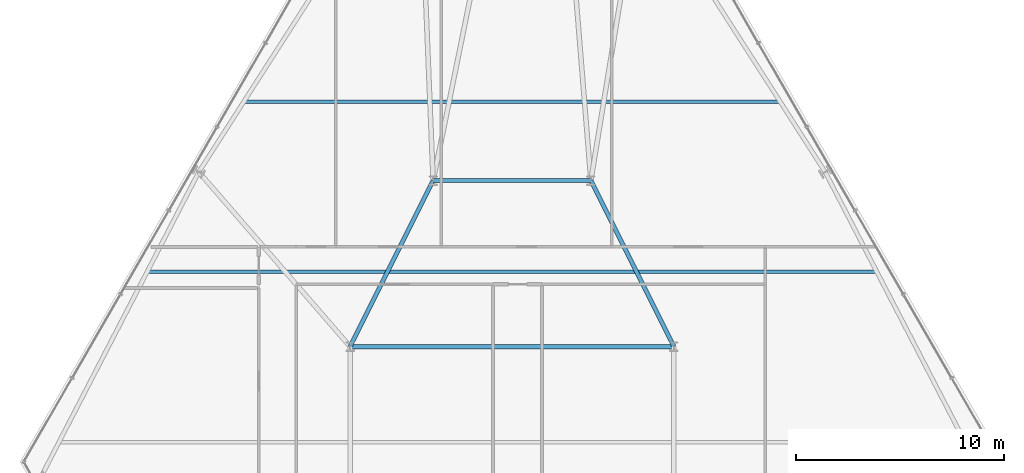
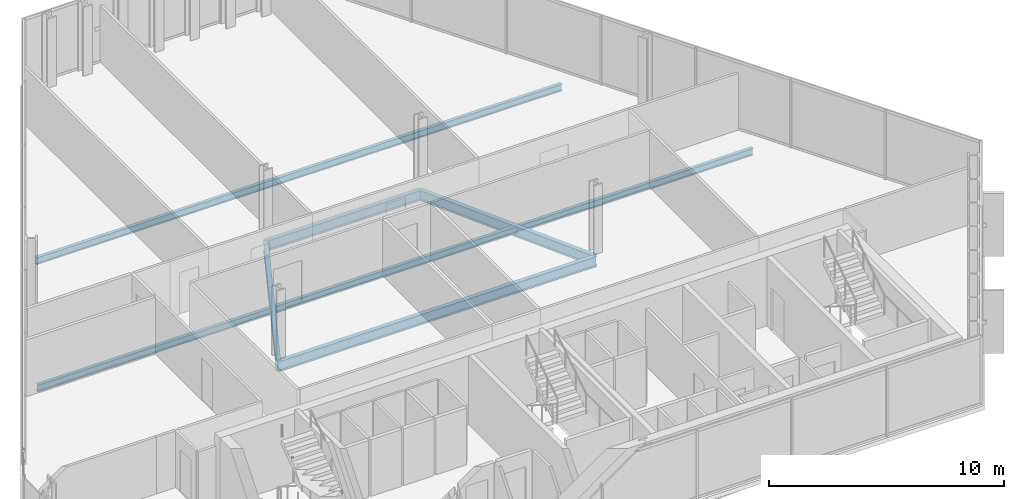
# One storey, part 15 of 33: 6 beams.
"""IFC4 building model written with IfcOpenShell, lengths in metres."""

import ifcopenshell
import ifcopenshell.guid

model = None  # the IFC model being written
_history = None  # IfcOwnerHistory: only IFC2X3 demands one
_inside = {}  # id of a spatial element -> (the spatial element, [elements in it])
_under = {}  # id of a project, library or spatial element -> (it, [spatial elements below it])
_declared = {}  # id of a project -> (the project, [libraries it declares])
_typed = {}  # id of a type object -> (the type object, [elements of that type])
_made_of = {}  # id of a material, layer set ... -> (it, [elements and type objects made of it])


def new_model(schema):
    """Start an empty IFC model of exactly this schema.

    Asked for "IFC4X3", IfcOpenShell would pick the latest addendum, in which some entities
    have other attributes; the version numbers below select the first issue.
    IFC2X3 requires an IfcOwnerHistory on every rooted entity: one is made here for all.
    """
    global model, _history
    if schema == "IFC4X3":
        model = ifcopenshell.file(schema_version=(4, 3, 0, 0))
    else:
        model = ifcopenshell.file(schema=schema)
    _inside.clear()
    _under.clear()
    _declared.clear()
    _typed.clear()
    _made_of.clear()
    _history = None
    if model.schema == "IFC2X3":
        org = make("IfcOrganization", Name="unknown")
        user = make(
            "IfcPersonAndOrganization",
            ThePerson=make("IfcPerson", FamilyName="unknown"),
            TheOrganization=org,
        )
        app = make(
            "IfcApplication",
            ApplicationDeveloper=org,
            Version="unknown",
            ApplicationFullName="unknown",
            ApplicationIdentifier="unknown",
        )
        _history = make(
            "IfcOwnerHistory",
            OwningUser=user,
            OwningApplication=app,
            ChangeAction="ADDED",
            CreationDate=0,
        )
    return model


def make(cls, **values):
    """One entity of the class cls with the attributes given. An attribute that is None is left unset."""
    return model.create_entity(
        cls, **{name: value for name, value in values.items() if value is not None}
    )


def rooted(cls, **values):
    """An entity with a GlobalId (a new one), such as an element, a storey or a relation."""
    return make(cls, GlobalId=ifcopenshell.guid.new(), OwnerHistory=_history, **values)


def si_unit(unit_type, name, prefix=None):
    """IfcSIUnit, for example si_unit("LENGTHUNIT", "METRE", prefix="MILLI")."""
    return make("IfcSIUnit", UnitType=unit_type, Prefix=prefix, Name=name)


def assignment(units):
    """IfcUnitAssignment: the units of a project."""
    return None if units is None else make("IfcUnitAssignment", Units=units)


def point(xyz):
    """IfcCartesianPoint."""
    return None if xyz is None else make("IfcCartesianPoint", Coordinates=xyz)


def direction(xyz):
    """IfcDirection."""
    return None if xyz is None else make("IfcDirection", DirectionRatios=xyz)


def frame(location, z_axis=None, x_axis=None):
    """IfcAxis2Placement3D, a coordinate frame: its origin and axes. An axis left out is left unset."""
    return make(
        "IfcAxis2Placement3D",
        Location=point(location),
        Axis=direction(z_axis),
        RefDirection=direction(x_axis),
    )


def frame_2d(location, x_axis=None):
    """IfcAxis2Placement2D, a coordinate frame in the plane: its origin and x axis."""
    return make(
        "IfcAxis2Placement2D", Location=point(location), RefDirection=direction(x_axis)
    )


def origin():
    """The frame at (0, 0, 0) with its axes left unset."""
    return frame((0.0, 0.0, 0.0))


def origin_2d():
    """The frame at (0, 0) in the plane with its x axis left unset."""
    return frame_2d((0.0, 0.0))


def place(relative_to, where):
    """IfcLocalPlacement: puts the frame where relative to a parent placement (None: the world)."""
    return make(
        "IfcLocalPlacement", PlacementRelTo=relative_to, RelativePlacement=where
    )


def context(
    kind, dimensions, precision=None, world=None, true_north=None, identifier=None
):
    """IfcGeometricRepresentationContext, for example the 3D "Model" context."""
    return make(
        "IfcGeometricRepresentationContext",
        ContextIdentifier=identifier,
        ContextType=kind,
        CoordinateSpaceDimension=dimensions,
        Precision=precision,
        WorldCoordinateSystem=world,
        TrueNorth=true_north,
    )


def subcontext(parent, identifier, kind, view, scale=None):
    """IfcGeometricRepresentationSubContext, for example "Body" below "Model"."""
    return make(
        "IfcGeometricRepresentationSubContext",
        ContextIdentifier=identifier,
        ContextType=kind,
        ParentContext=parent,
        TargetScale=scale,
        TargetView=view,
    )


def project(units=None, contexts=None):
    """IfcProject with its units and contexts."""
    return rooted(
        "IfcProject",
        Name="project",
        RepresentationContexts=contexts,
        UnitsInContext=assignment(units),
    )


def spatial(cls, under=None, at=None, **own):
    """A site, building, storey or space (cls), placed at a placement, below another one or the project."""
    s = rooted(cls, ObjectPlacement=at, **own)
    if under is not None:
        _under.setdefault(under.id(), (under, []))[1].append(s)
    return s


def profile(cls, at=None, kind="AREA", **sizes):
    """A parametric profile (cls). Its sizes go by their IFC names, for example OverallWidth=200.0."""
    return make(cls, ProfileType=kind, Position=at, **sizes)


def i_section(**sizes):
    """IfcIShapeProfileDef."""
    return profile("IfcIShapeProfileDef", **sizes)


def extrude(swept, where, along, depth):
    """IfcExtrudedAreaSolid: the profile swept, set in the frame where, extruded along a direction by depth."""
    return make(
        "IfcExtrudedAreaSolid",
        SweptArea=swept,
        Position=where,
        ExtrudedDirection=direction(along),
        Depth=depth,
    )


def shape(context_of_items, identifier, shape_type, items):
    """IfcShapeRepresentation: the items that make up one representation, for example the "Body"."""
    return make(
        "IfcShapeRepresentation",
        ContextOfItems=context_of_items,
        RepresentationIdentifier=identifier,
        RepresentationType=shape_type,
        Items=items,
    )


def material(Name=None, Category=None):
    """IfcMaterial."""
    return make("IfcMaterial", Name=Name, Category=Category)


def material_profile(
    of_material, cross_section, Name=None, Category=None, Priority=None
):
    """IfcMaterialProfile: a cross section and its material."""
    return make(
        "IfcMaterialProfile",
        Name=Name,
        Material=of_material,
        Profile=cross_section,
        Priority=Priority,
        Category=Category,
    )


def profile_set(profiles, Name=None, composite=None):
    """IfcMaterialProfileSet."""
    return make(
        "IfcMaterialProfileSet",
        Name=Name,
        MaterialProfiles=profiles,
        CompositeProfile=composite,
    )


def made_of(thing, what):
    """Note that an element or type object is made of a material, layer set ...; save() writes the relation."""
    if what is not None:
        _made_of.setdefault(what.id(), (what, []))[1].append(thing)
    return thing


def type_object(cls, material=None, **own):
    """A type object (cls), such as IfcWallType, which elements share."""
    return made_of(rooted(cls, **own), material)


def element(
    cls,
    number,
    at=None,
    inside=None,
    cuts=None,
    type_object=None,
    material=None,
    context=None,
    identifier="Body",
    shape_type=None,
    held_by="IfcProductDefinitionShape",
    body=None,
    shapes=None,
    **own,
):
    """One element of the class cls, such as IfcWall. Its Tag is "e" and its number.

    at: its placement. inside: the storey or other place that contains it. cuts: it is an
    opening in that element (IfcRelVoidsElement). A single representation is given by context,
    identifier, shape_type and body (its items); several are given by shapes. held_by: the class
    of the entity that holds the representations. save() writes the other relations.
    """
    e = rooted(cls, Tag="e%d" % number, ObjectPlacement=at, **own)
    if body is not None:
        shapes = [shape(context, identifier, shape_type, body)]
    if shapes is not None:
        e.Representation = make(held_by, Representations=shapes)
    if inside is not None:
        _inside.setdefault(inside.id(), (inside, []))[1].append(e)
    if cuts is not None:
        rooted(
            "IfcRelVoidsElement", RelatingBuildingElement=cuts, RelatedOpeningElement=e
        )
    if type_object is not None:
        _typed.setdefault(type_object.id(), (type_object, []))[1].append(e)
    return made_of(e, material)


def aggregate(whole, parts):
    """IfcRelAggregates: a whole, such as a stair, and the parts it consists of."""
    return rooted("IfcRelAggregates", RelatingObject=whole, RelatedObjects=parts)


def save(model, path):
    """Write the relations noted so far, then the file.

    IfcRelAggregates (storeys below a building ...), IfcRelContainedInSpatialStructure (elements
    in a storey), IfcRelDefinesByType, IfcRelAssociatesMaterial and IfcRelDeclares: one each for
    every whole, place, type object, material and project.
    """
    for whole, parts in _under.values():
        aggregate(whole, parts)
    for where, things in _inside.values():
        rooted(
            "IfcRelContainedInSpatialStructure",
            RelatedElements=things,
            RelatingStructure=where,
        )
    for kind, things in _typed.values():
        rooted("IfcRelDefinesByType", RelatedObjects=things, RelatingType=kind)
    for what, things in _made_of.values():
        rooted("IfcRelAssociatesMaterial", RelatedObjects=things, RelatingMaterial=what)
    for by, libraries in _declared.values():
        rooted("IfcRelDeclares", RelatingContext=by, RelatedDefinitions=libraries)
    model.write(path)


model = new_model("IFC4")

# Units and contexts
model_context = context("Model", 3, precision=1e-05, world=origin(), true_north=direction((0.0, 1.0)))
body_context = subcontext(model_context, "Body", "Model", "MODEL_VIEW")
ifc_project = project(units=[si_unit("LENGTHUNIT", "METRE"), si_unit("AREAUNIT", "SQUARE_METRE"), si_unit("VOLUMEUNIT", "CUBIC_METRE"), si_unit("PLANEANGLEUNIT", "RADIAN"), si_unit("MASSUNIT", "GRAM", prefix="KILO")], contexts=[model_context])

# Site, building, storey
site_placement = place(None, origin())
site = spatial("IfcSite", under=ifc_project, at=site_placement, CompositionType="ELEMENT")
building_placement = place(site_placement, origin())
building = spatial("IfcBuilding", under=site, at=building_placement, Name="Ndaravel Arena Tower", CompositionType="ELEMENT")
storey_placement = place(building_placement, frame((0.0, 0.0, 85.39990234375)))
storey = spatial("IfcBuildingStorey", under=building, at=storey_placement, Name="L19", CompositionType="ELEMENT", Elevation=85.39990234375)

# Beams
ifc_material_1 = material(Name="Steel S355", Category="steel")
ifc_material_profile_1 = material_profile(ifc_material_1, i_section(OverallWidth=0.210693359375, OverallDepth=0.53955078125, WebThickness=0.01171875, FlangeThickness=0.018798828125, FilletRadius=0.0126953125, at=origin_2d()), Name="UB 533x210x109")
ifc_profile_set_1 = profile_set([ifc_material_profile_1], Name="Steel S355")
beam_type_1 = type_object("IfcBeamType", Name="BM-GIRD-UB533", PredefinedType="BEAM", material=ifc_profile_set_1)
beam_1_placement = place(storey_placement, frame((34.199951171875, 23.199951171875, -0.489501953125), z_axis=(1.0, 0.0, 0.0), x_axis=(0.0, 1.0, 0.0)))
element("IfcBeam", 1, at=beam_1_placement, inside=storey, type_object=beam_type_1, Name="L19 Spine Link Girder SLG-03", PredefinedType="BEAM", context=body_context, shape_type="SweptSolid", body=[
    extrude(i_section(OverallWidth=0.210693359375, OverallDepth=0.53955078125, WebThickness=0.01171875, FlangeThickness=0.018798828125, FilletRadius=0.0126953125, at=origin_2d()), origin(), (0.0, 0.0, 1.0), 15.60009765625),
])
for number, where, z_axis, x_axis, name in (
    (2, (34.199951171875, 23.199951171875, -0.489501953125), (0.4472135955, 0.894427191, 0.0), (-0.894427191, 0.4472135955, 0.0), "L19 Spine Link Girder SLG-04"),
    (3, (49.800048828125, 23.199951171875, -0.489501953125), (-0.4472135955, 0.894427191, 0.0), (-0.894427191, -0.4472135955, 0.0), "L19 Spine Link Girder SLG-05"),
):
    element("IfcBeam", number, at=place(storey_placement, frame(where, z_axis=z_axis, x_axis=x_axis)), inside=storey, type_object=beam_type_1, Name=name, PredefinedType="BEAM", context=body_context, shape_type="SweptSolid", body=[
        extrude(i_section(OverallWidth=0.210693359375, OverallDepth=0.53955078125, WebThickness=0.01171875, FlangeThickness=0.018798828125, FilletRadius=0.0126953125, at=origin_2d()), origin(), (0.0, 0.0, 1.0), 8.9443359375),
    ])
beam_2_placement = place(storey_placement, frame((38.199951171875, 31.199951171875, -0.489501953125), z_axis=(1.0, 0.0, 0.0), x_axis=(0.0, 1.0, 0.0)))
element("IfcBeam", 4, at=beam_2_placement, inside=storey, type_object=beam_type_1, Name="L19 Spine Link Girder SLG-06", PredefinedType="BEAM", context=body_context, shape_type="SweptSolid", body=[
    extrude(i_section(OverallWidth=0.210693359375, OverallDepth=0.53955078125, WebThickness=0.01171875, FlangeThickness=0.018798828125, FilletRadius=0.0126953125, at=origin_2d()), origin(), (0.0, 0.0, 1.0), 7.60009765625),
])
ifc_material_2 = material(Name="Steel S355", Category="steel")
ifc_material_profile_2 = material_profile(ifc_material_2, i_section(OverallWidth=0.169921875, OverallDepth=0.360107421875, WebThickness=0.008056640625, FlangeThickness=0.0126953125, FilletRadius=0.01806640625, at=origin_2d()), Name="IPE 360")
ifc_profile_set_2 = profile_set([ifc_material_profile_2], Name="Steel S355")
beam_type_2 = type_object("IfcBeamType", Name="BM-JOIST-IPE360", PredefinedType="JOIST", material=ifc_profile_set_2)
beam_3_placement = place(storey_placement, frame((24.421630859375, 26.800048828125, -0.39990234375), z_axis=(1.0, 0.0, 0.0), x_axis=(0.0, 1.0, 0.0)))
element("IfcBeam", 5, at=beam_3_placement, inside=storey, type_object=beam_type_2, Name="L19 Composite Floor Joist FJ-02", PredefinedType="JOIST", context=body_context, shape_type="SweptSolid", body=[
    extrude(i_section(OverallWidth=0.169921875, OverallDepth=0.360107421875, WebThickness=0.008056640625, FlangeThickness=0.0126953125, FilletRadius=0.01806640625, at=origin_2d()), origin(), (0.0, 0.0, 1.0), 35.15673828125),
])
beam_4_placement = place(storey_placement, frame((29.081787109375, 35.0, -0.39990234375), z_axis=(1.0, 0.0, 0.0), x_axis=(0.0, 1.0, 0.0)))
element("IfcBeam", 6, at=beam_4_placement, inside=storey, type_object=beam_type_2, Name="L19 Composite Floor Joist FJ-03", PredefinedType="JOIST", context=body_context, shape_type="SweptSolid", body=[
    extrude(i_section(OverallWidth=0.169921875, OverallDepth=0.360107421875, WebThickness=0.008056640625, FlangeThickness=0.0126953125, FilletRadius=0.01806640625, at=origin_2d()), origin(), (0.0, 0.0, 1.0), 25.83642578125),
])

save(model, "model.ifc")
